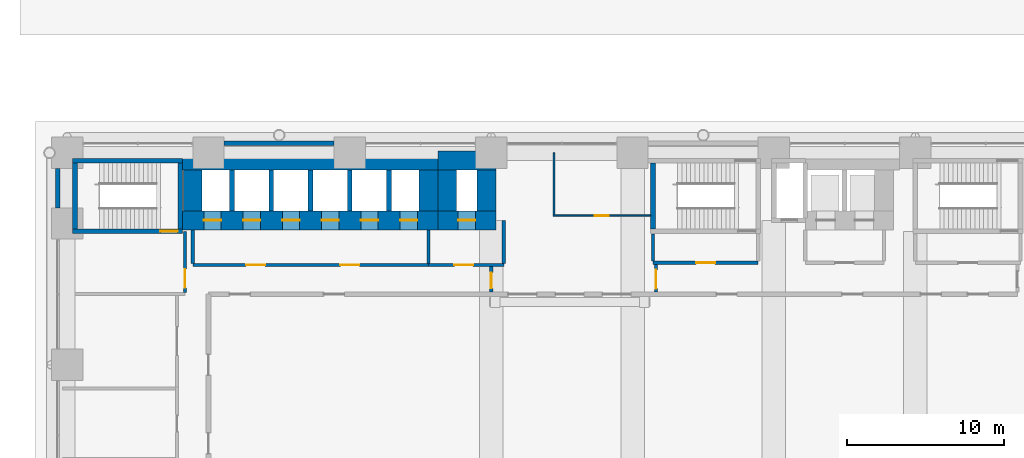
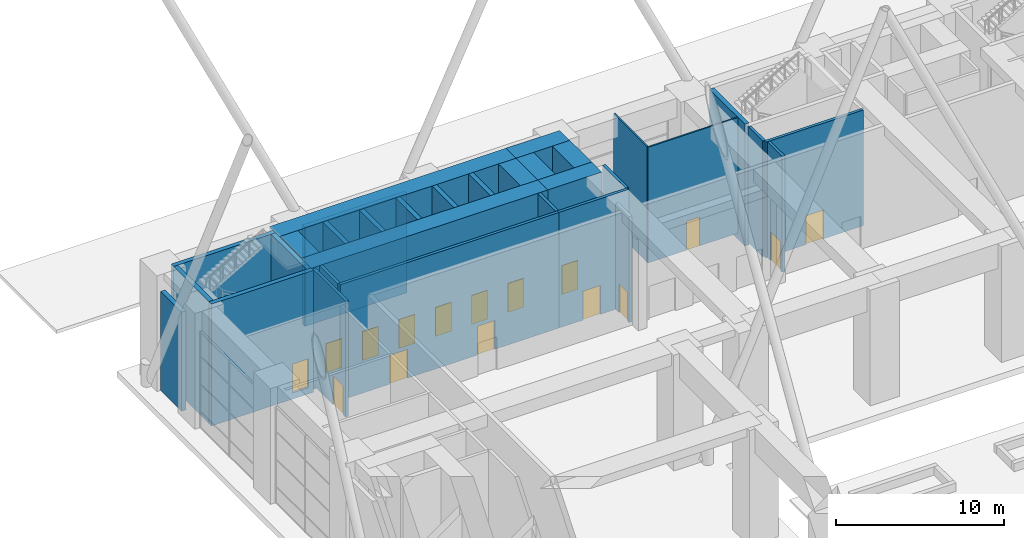
# One storey, part 31 of 44: 32 walls, 16 doors, 16 openings.
"""IFC4 building model written with IfcOpenShell, lengths in metres."""

from ifc_helpers import new_model, si_unit, direction, frame, frame_2d, origin, place, context, subcontext, project, spatial, rectangle, extrude, material, layer, layer_set, type_object, element, fill, save


model = new_model("IFC4")

# Units and contexts
model_context = context("Model", 3, precision=1e-05, world=origin(), true_north=direction((0.0, 1.0)))
body_context = subcontext(model_context, "Body", "Model", "MODEL_VIEW")
ifc_project = project(units=[si_unit("LENGTHUNIT", "METRE"), si_unit("AREAUNIT", "SQUARE_METRE"), si_unit("VOLUMEUNIT", "CUBIC_METRE"), si_unit("PLANEANGLEUNIT", "RADIAN"), si_unit("MASSUNIT", "GRAM", prefix="KILO")], contexts=[model_context])

# Site, building, storey
site_placement = place(None, origin())
site = spatial("IfcSite", under=ifc_project, at=site_placement, CompositionType="ELEMENT")
building_placement = place(site_placement, origin())
building = spatial("IfcBuilding", under=site, at=building_placement, Name="Firuza Court", CompositionType="ELEMENT")
storey_placement = place(building_placement, origin())
storey = spatial("IfcBuildingStorey", under=building, at=storey_placement, Name="L00", CompositionType="ELEMENT", Elevation=0.0)

# Wall, openings, doors
ifc_material_1 = material(Name="Concrete C60/75", Category="concrete")
ifc_layer_1 = layer(ifc_material_1, 1.199951171875)
ifc_layer_set_1 = layer_set([ifc_layer_1], Name="Concrete C60/75")
wall_type_1 = type_object("IfcWallType", Name="Core wall 1200 C60/75", PredefinedType="SHEAR", material=ifc_layer_set_1)
wall_1_placement = place(storey_placement, frame((7.35009765625, 54.199951171875, -0.449951171875), z_axis=(0.0, 0.0, 1.0), x_axis=(1.0, 0.0, 0.0)))
wall_1 = element("IfcWall", 1, at=wall_1_placement, inside=storey, type_object=wall_type_1, Name="Core wall lift shaft L00", PredefinedType="SHEAR", context=body_context, shape_type="SweptSolid", body=[
    extrude(rectangle(XDim=16.25, YDim=1.199951171875, at=frame_2d((8.125, 0.0))), origin(), (0.0, 0.0, 1.0), 8.849853515625),
])
opening_1_placement = place(wall_1_placement, frame((1.35009765625, 0.0, 0.449951171875)))
opening_1 = element("IfcOpeningElement", 2, at=opening_1_placement, cuts=wall_1, Name="Opening LD-LB1-00", PredefinedType="OPENING", context=body_context, shape_type="SweptSolid", body=[
    extrude(rectangle(XDim=1.10009765625, YDim=2.10009765625, at=frame_2d((0.550048828125, 1.050048828125))), frame((0.0, 0.61181640625, 0.0), z_axis=(0.0, -1.0, 0.0), x_axis=(1.0, 0.0, 0.0)), (0.0, 0.0, 1.0), 1.223876953125),
])
opening_2_placement = place(wall_1_placement, frame((3.85009765625, 0.0, 0.449951171875)))
opening_2 = element("IfcOpeningElement", 3, at=opening_2_placement, cuts=wall_1, Name="Opening LD-LB2-00", PredefinedType="OPENING", context=body_context, shape_type="SweptSolid", body=[
    extrude(rectangle(XDim=1.10009765625, YDim=2.10009765625, at=frame_2d((0.550048828125, 1.050048828125))), frame((0.0, 0.61181640625, 0.0), z_axis=(0.0, -1.0, 0.0), x_axis=(1.0, 0.0, 0.0)), (0.0, 0.0, 1.0), 1.223876953125),
])
opening_3_placement = place(wall_1_placement, frame((6.35009765625, 0.0, 0.449951171875)))
opening_3 = element("IfcOpeningElement", 4, at=opening_3_placement, cuts=wall_1, Name="Opening LD-LB3-00", PredefinedType="OPENING", context=body_context, shape_type="SweptSolid", body=[
    extrude(rectangle(XDim=1.10009765625, YDim=2.10009765625, at=frame_2d((0.550048828125, 1.050048828125))), frame((0.0, 0.61181640625, 0.0), z_axis=(0.0, -1.0, 0.0), x_axis=(1.0, 0.0, 0.0)), (0.0, 0.0, 1.0), 1.223876953125),
])
opening_4_placement = place(wall_1_placement, frame((8.85009765625, 0.0, 0.449951171875)))
opening_4 = element("IfcOpeningElement", 5, at=opening_4_placement, cuts=wall_1, Name="Opening LD-LB4-00", PredefinedType="OPENING", context=body_context, shape_type="SweptSolid", body=[
    extrude(rectangle(XDim=1.10009765625, YDim=2.10009765625, at=frame_2d((0.550048828125, 1.050048828125))), frame((0.0, 0.61181640625, 0.0), z_axis=(0.0, -1.0, 0.0), x_axis=(1.0, 0.0, 0.0)), (0.0, 0.0, 1.0), 1.223876953125),
])
opening_5_placement = place(wall_1_placement, frame((11.35009765625, 0.0, 0.449951171875)))
opening_5 = element("IfcOpeningElement", 6, at=opening_5_placement, cuts=wall_1, Name="Opening LD-LB5-00", PredefinedType="OPENING", context=body_context, shape_type="SweptSolid", body=[
    extrude(rectangle(XDim=1.10009765625, YDim=2.10009765625, at=frame_2d((0.550048828125, 1.050048828125))), frame((0.0, 0.61181640625, 0.0), z_axis=(0.0, -1.0, 0.0), x_axis=(1.0, 0.0, 0.0)), (0.0, 0.0, 1.0), 1.223876953125),
])
opening_6_placement = place(wall_1_placement, frame((13.85009765625, 0.0, 0.449951171875)))
opening_6 = element("IfcOpeningElement", 7, at=opening_6_placement, cuts=wall_1, Name="Opening LD-LB6-00", PredefinedType="OPENING", context=body_context, shape_type="SweptSolid", body=[
    extrude(rectangle(XDim=1.10009765625, YDim=2.10009765625, at=frame_2d((0.550048828125, 1.050048828125))), frame((0.0, 0.61181640625, 0.0), z_axis=(0.0, -1.0, 0.0), x_axis=(1.0, 0.0, 0.0)), (0.0, 0.0, 1.0), 1.223876953125),
])
ifc_material_2 = material(Name="Stainless steel 1.4301 door leaf", Category="steel")
door_type_1 = type_object("IfcDoorType", Name="Lift landing door 1100", OperationType="SLIDING_TO_LEFT", PredefinedType="DOOR", material=ifc_material_2)
door_1_placement = place(opening_1_placement, origin())
door_1 = element("IfcDoor", 8, at=door_1_placement, inside=storey, type_object=door_type_1, Name="Landing door LB1", OperationType="SLIDING_TO_LEFT", OverallHeight=2.10009765625, OverallWidth=1.10009765625, PredefinedType="DOOR", context=body_context, shape_type="SweptSolid", body=[
    extrude(rectangle(XDim=1.10009765625, YDim=2.10009765625, at=frame_2d((0.550048828125, 1.050048828125))), frame((0.0, 0.02490234375, 0.0), z_axis=(0.0, -1.0, 0.0), x_axis=(1.0, 0.0, 0.0)), (0.0, 0.0, 1.0), 0.050048828125),
])
fill(opening_1, door_1)
door_2_placement = place(opening_2_placement, origin())
door_2 = element("IfcDoor", 9, at=door_2_placement, inside=storey, type_object=door_type_1, Name="Landing door LB2", OperationType="SLIDING_TO_LEFT", OverallHeight=2.10009765625, OverallWidth=1.10009765625, PredefinedType="DOOR", context=body_context, shape_type="SweptSolid", body=[
    extrude(rectangle(XDim=1.10009765625, YDim=2.10009765625, at=frame_2d((0.550048828125, 1.050048828125))), frame((0.0, 0.02490234375, 0.0), z_axis=(0.0, -1.0, 0.0), x_axis=(1.0, 0.0, 0.0)), (0.0, 0.0, 1.0), 0.050048828125),
])
fill(opening_2, door_2)
door_3_placement = place(opening_3_placement, origin())
door_3 = element("IfcDoor", 10, at=door_3_placement, inside=storey, type_object=door_type_1, Name="Landing door LB3", OperationType="SLIDING_TO_LEFT", OverallHeight=2.10009765625, OverallWidth=1.10009765625, PredefinedType="DOOR", context=body_context, shape_type="SweptSolid", body=[
    extrude(rectangle(XDim=1.10009765625, YDim=2.10009765625, at=frame_2d((0.550048828125, 1.050048828125))), frame((0.0, 0.02490234375, 0.0), z_axis=(0.0, -1.0, 0.0), x_axis=(1.0, 0.0, 0.0)), (0.0, 0.0, 1.0), 0.050048828125),
])
fill(opening_3, door_3)
door_4_placement = place(opening_4_placement, origin())
door_4 = element("IfcDoor", 11, at=door_4_placement, inside=storey, type_object=door_type_1, Name="Landing door LB4", OperationType="SLIDING_TO_LEFT", OverallHeight=2.10009765625, OverallWidth=1.10009765625, PredefinedType="DOOR", context=body_context, shape_type="SweptSolid", body=[
    extrude(rectangle(XDim=1.10009765625, YDim=2.10009765625, at=frame_2d((0.550048828125, 1.050048828125))), frame((0.0, 0.02490234375, 0.0), z_axis=(0.0, -1.0, 0.0), x_axis=(1.0, 0.0, 0.0)), (0.0, 0.0, 1.0), 0.050048828125),
])
fill(opening_4, door_4)
door_5_placement = place(opening_5_placement, origin())
door_5 = element("IfcDoor", 12, at=door_5_placement, inside=storey, type_object=door_type_1, Name="Landing door LB5", OperationType="SLIDING_TO_LEFT", OverallHeight=2.10009765625, OverallWidth=1.10009765625, PredefinedType="DOOR", context=body_context, shape_type="SweptSolid", body=[
    extrude(rectangle(XDim=1.10009765625, YDim=2.10009765625, at=frame_2d((0.550048828125, 1.050048828125))), frame((0.0, 0.02490234375, 0.0), z_axis=(0.0, -1.0, 0.0), x_axis=(1.0, 0.0, 0.0)), (0.0, 0.0, 1.0), 0.050048828125),
])
fill(opening_5, door_5)
door_6_placement = place(opening_6_placement, origin())
door_6 = element("IfcDoor", 13, at=door_6_placement, inside=storey, type_object=door_type_1, Name="Landing door LB6", OperationType="SLIDING_TO_LEFT", OverallHeight=2.10009765625, OverallWidth=1.10009765625, PredefinedType="DOOR", context=body_context, shape_type="SweptSolid", body=[
    extrude(rectangle(XDim=1.10009765625, YDim=2.10009765625, at=frame_2d((0.550048828125, 1.050048828125))), frame((0.0, 0.02490234375, 0.0), z_axis=(0.0, -1.0, 0.0), x_axis=(1.0, 0.0, 0.0)), (0.0, 0.0, 1.0), 0.050048828125),
])
fill(opening_6, door_6)

# Walls
wall_2_placement = place(storey_placement, frame((7.35009765625, 58.0, -0.449951171875), z_axis=(0.0, 0.0, 1.0), x_axis=(1.0, 0.0, 0.0)))
element("IfcWall", 14, at=wall_2_placement, inside=storey, type_object=wall_type_1, Name="Core wall lift shaft L00", PredefinedType="SHEAR", context=body_context, shape_type="SweptSolid", body=[
    extrude(rectangle(XDim=16.25, YDim=1.199951171875, at=frame_2d((8.125, 0.0))), origin(), (0.0, 0.0, 1.0), 8.849853515625),
])
for number, where, z_axis, x_axis, name in (
    (15, (8.0, 54.800048828125, -0.449951171875), (0.0, 0.0, 1.0), (0.0, 1.0, 0.0), "Core wall lift shaft L00"),
    (16, (23.0, 54.800048828125, -0.449951171875), (0.0, 0.0, 1.0), (0.0, 1.0, 0.0), "Core wall lift shaft L00"),
):
    element("IfcWall", number, at=place(storey_placement, frame(where, z_axis=z_axis, x_axis=x_axis)), inside=storey, type_object=wall_type_1, Name=name, PredefinedType="SHEAR", context=body_context, shape_type="SweptSolid", body=[
        extrude(rectangle(XDim=2.599853515625, YDim=1.199951171875, at=frame_2d((1.2998046875, 0.0))), origin(), (0.0, 0.0, 1.0), 8.849853515625),
    ])

# Wall, opening, door
wall_3_placement = place(storey_placement, frame((23.60009765625, 54.199951171875, -0.449951171875), z_axis=(0.0, 0.0, 1.0), x_axis=(1.0, 0.0, 0.0)))
wall_3 = element("IfcWall", 17, at=wall_3_placement, inside=storey, type_object=wall_type_1, Name="Core wall lift shaft L00", PredefinedType="SHEAR", context=body_context, shape_type="SweptSolid", body=[
    extrude(rectangle(XDim=3.699951171875, YDim=1.199951171875, at=frame_2d((1.85009765625, 0.0))), origin(), (0.0, 0.0, 1.0), 8.849853515625),
])
opening_7_placement = place(wall_3_placement, frame((1.300048828125, 0.0, 0.449951171875)))
opening_7 = element("IfcOpeningElement", 18, at=opening_7_placement, cuts=wall_3, Name="Opening LD-FL3-00", PredefinedType="OPENING", context=body_context, shape_type="SweptSolid", body=[
    extrude(rectangle(XDim=1.10009765625, YDim=2.10009765625, at=frame_2d((0.550048828125, 1.050048828125))), frame((0.0, 0.61181640625, 0.0), z_axis=(0.0, -1.0, 0.0), x_axis=(1.0, 0.0, 0.0)), (0.0, 0.0, 1.0), 1.223876953125),
])
door_7_placement = place(opening_7_placement, origin())
door_7 = element("IfcDoor", 19, at=door_7_placement, inside=storey, type_object=door_type_1, Name="Landing door FL3", OperationType="SLIDING_TO_LEFT", OverallHeight=2.10009765625, OverallWidth=1.10009765625, PredefinedType="DOOR", context=body_context, shape_type="SweptSolid", body=[
    extrude(rectangle(XDim=1.10009765625, YDim=2.10009765625, at=frame_2d((0.550048828125, 1.050048828125))), frame((0.0, 0.02490234375, 0.0), z_axis=(0.0, -1.0, 0.0), x_axis=(1.0, 0.0, 0.0)), (0.0, 0.0, 1.0), 0.050048828125),
])
fill(opening_7, door_7)

# Walls
wall_4_placement = place(storey_placement, frame((23.60009765625, 58.0, -0.449951171875), z_axis=(0.0, 0.0, 1.0), x_axis=(1.0, 0.0, 0.0)))
element("IfcWall", 20, at=wall_4_placement, inside=storey, type_object=wall_type_1, Name="Core wall lift shaft L00", PredefinedType="SHEAR", context=body_context, shape_type="SweptSolid", body=[
    extrude(rectangle(XDim=3.699951171875, YDim=1.199951171875, at=frame_2d((1.85009765625, 0.0))), origin(), (0.0, 0.0, 1.0), 8.849853515625),
])
for number, where, z_axis, x_axis, name in (
    (21, (24.199951171875, 54.800048828125, -0.449951171875), (0.0, 0.0, 1.0), (0.0, 1.0, 0.0), "Core wall lift shaft L00"),
    (22, (26.699951171875, 54.800048828125, -0.449951171875), (0.0, 0.0, 1.0), (0.0, 1.0, 0.0), "Core wall lift shaft L00"),
):
    element("IfcWall", number, at=place(storey_placement, frame(where, z_axis=z_axis, x_axis=x_axis)), inside=storey, type_object=wall_type_1, Name=name, PredefinedType="SHEAR", context=body_context, shape_type="SweptSolid", body=[
        extrude(rectangle(XDim=2.599853515625, YDim=1.199951171875, at=frame_2d((1.2998046875, 0.0))), origin(), (0.0, 0.0, 1.0), 8.849853515625),
    ])

# Wall, opening, door
ifc_layer_2 = layer(ifc_material_1, 0.300048828125)
ifc_layer_set_2 = layer_set([ifc_layer_2], Name="Concrete C60/75")
wall_type_2 = type_object("IfcWallType", Name="Core wall 300 C60/75", PredefinedType="SHEAR", material=ifc_layer_set_2)
wall_5_placement = place(storey_placement, frame((0.35009765625, 53.5, -0.449951171875), z_axis=(0.0, 0.0, 1.0), x_axis=(1.0, 0.0, 0.0)))
wall_5 = element("IfcWall", 23, at=wall_5_placement, inside=storey, type_object=wall_type_2, Name="Core wall stair L00", PredefinedType="SHEAR", context=body_context, shape_type="SweptSolid", body=[
    extrude(rectangle(XDim=7.0, YDim=0.300048828125, at=frame_2d((3.5, 0.0))), origin(), (0.0, 0.0, 1.0), 8.849853515625),
])
opening_8_placement = place(wall_5_placement, frame((5.580078125, 0.0, 0.449951171875)))
opening_8 = element("IfcOpeningElement", 24, at=opening_8_placement, cuts=wall_5, Name="Opening D00016", PredefinedType="OPENING", context=body_context, shape_type="SweptSolid", body=[
    extrude(rectangle(XDim=1.10009765625, YDim=2.10009765625, at=frame_2d((0.550048828125, 1.050048828125))), frame((0.0, 0.162109375, 0.0), z_axis=(0.0, -1.0, 0.0), x_axis=(1.0, 0.0, 0.0)), (0.0, 0.0, 1.0), 0.323974609375),
])
ifc_material_3 = material(Name="Timber door leaf in hardwood frame", Category="wood")
door_type_2 = type_object("IfcDoorType", Name="Stair door 1100", OperationType="SINGLE_SWING_LEFT", PredefinedType="DOOR", material=ifc_material_3)
door_8_placement = place(opening_8_placement, frame((1.10009765625, 0.0, 0.0), z_axis=(0.0, 0.0, 1.0), x_axis=(-1.0, 0.0, 0.0)))
door_8 = element("IfcDoor", 25, at=door_8_placement, inside=storey, type_object=door_type_2, Name="Stair door S3", OperationType="SINGLE_SWING_LEFT", OverallHeight=2.10009765625, OverallWidth=1.10009765625, PredefinedType="DOOR", context=body_context, shape_type="SweptSolid", body=[
    extrude(rectangle(XDim=1.10009765625, YDim=2.10009765625, at=frame_2d((0.550048828125, 1.050048828125))), frame((0.0, 0.02490234375, 0.0), z_axis=(0.0, -1.0, 0.0), x_axis=(1.0, 0.0, 0.0)), (0.0, 0.0, 1.0), 0.050048828125),
])
fill(opening_8, door_8)

# Walls
wall_6_placement = place(storey_placement, frame((0.35009765625, 58.0, -0.449951171875), z_axis=(0.0, 0.0, 1.0), x_axis=(1.0, 0.0, 0.0)))
element("IfcWall", 26, at=wall_6_placement, inside=storey, type_object=wall_type_2, Name="Core wall stair L00", PredefinedType="SHEAR", context=body_context, shape_type="SweptSolid", body=[
    extrude(rectangle(XDim=7.0, YDim=0.300048828125, at=frame_2d((3.5, 0.0))), origin(), (0.0, 0.0, 1.0), 8.849853515625),
])
for number, where, z_axis, x_axis, name in (
    (27, (0.5, 53.64990234375, -0.449951171875), (0.0, 0.0, 1.0), (0.0, 1.0, 0.0), "Core wall stair L00"),
    (28, (7.199951171875, 53.64990234375, -0.449951171875), (0.0, 0.0, 1.0), (0.0, 1.0, 0.0), "Core wall stair L00"),
):
    element("IfcWall", number, at=place(storey_placement, frame(where, z_axis=z_axis, x_axis=x_axis)), inside=storey, type_object=wall_type_2, Name=name, PredefinedType="SHEAR", context=body_context, shape_type="SweptSolid", body=[
        extrude(rectangle(XDim=4.2001953125, YDim=0.300048828125, at=frame_2d((2.10009765625, 0.0))), origin(), (0.0, 0.0, 1.0), 8.849853515625),
    ])
for number, where, z_axis, x_axis, name in (
    (29, (10.5, 54.800048828125, -0.449951171875), (0.0, 0.0, 1.0), (0.0, 1.0, 0.0), "Core wall lift shaft L00"),
    (30, (13.0, 54.800048828125, -0.449951171875), (0.0, 0.0, 1.0), (0.0, 1.0, 0.0), "Core wall lift shaft L00"),
    (31, (15.5, 54.800048828125, -0.449951171875), (0.0, 0.0, 1.0), (0.0, 1.0, 0.0), "Core wall lift shaft L00"),
    (32, (18.0, 54.800048828125, -0.449951171875), (0.0, 0.0, 1.0), (0.0, 1.0, 0.0), "Core wall lift shaft L00"),
    (33, (20.5, 54.800048828125, -0.449951171875), (0.0, 0.0, 1.0), (0.0, 1.0, 0.0), "Core wall lift shaft L00"),
):
    element("IfcWall", number, at=place(storey_placement, frame(where, z_axis=z_axis, x_axis=x_axis)), inside=storey, type_object=wall_type_2, Name=name, PredefinedType="SHEAR", context=body_context, shape_type="SweptSolid", body=[
        extrude(rectangle(XDim=2.599853515625, YDim=0.300048828125, at=frame_2d((1.2998046875, 0.0))), origin(), (0.0, 0.0, 1.0), 8.849853515625),
    ])
wall_7_placement = place(storey_placement, frame((37.300048828125, 53.64990234375, -0.449951171875), z_axis=(0.0, 0.0, 1.0), x_axis=(0.0, 1.0, 0.0)))
element("IfcWall", 34, at=wall_7_placement, inside=storey, type_object=wall_type_2, Name="Core wall stair L00", PredefinedType="SHEAR", context=body_context, shape_type="SweptSolid", body=[
    extrude(rectangle(XDim=4.2001953125, YDim=0.300048828125, at=frame_2d((2.10009765625, 0.0))), origin(), (0.0, 0.0, 1.0), 8.849853515625),
])

# Wall, opening, door
ifc_material_4 = material(Name="Blockwork, plastered both sides", Category="masonry")
ifc_layer_3 = layer(ifc_material_4, 0.199951171875)
ifc_layer_set_3 = layer_set([ifc_layer_3], Name="Blockwork, plastered both sides")
wall_type_3 = type_object("IfcWallType", Name="Corridor wall 200", PredefinedType="PARTITIONING", material=ifc_layer_set_3)
wall_8_placement = place(storey_placement, frame((27.0, 49.64990234375, 0.0), z_axis=(0.0, 0.0, 1.0), x_axis=(0.0, 1.0, 0.0)))
wall_8 = element("IfcWall", 35, at=wall_8_placement, inside=storey, type_object=wall_type_3, Name="Corridor wall 200 L00", PredefinedType="PARTITIONING", context=body_context, shape_type="SweptSolid", body=[
    extrude(rectangle(XDim=1.60009765625, YDim=0.199951171875, at=frame_2d((0.800048828125, 0.0))), origin(), (0.0, 0.0, 1.0), 7.699951171875),
])
opening_9_placement = place(wall_8_placement, frame((0.22509765625, 0.0, 0.0)))
opening_9 = element("IfcOpeningElement", 36, at=opening_9_placement, cuts=wall_8, Name="Opening D00026", PredefinedType="OPENING", context=body_context, shape_type="SweptSolid", body=[
    extrude(rectangle(XDim=1.0, YDim=2.10009765625, at=frame_2d((0.5, 1.050048828125))), frame((0.0, 0.11181640625, 0.0), z_axis=(0.0, -1.0, 0.0), x_axis=(1.0, 0.0, 0.0)), (0.0, 0.0, 1.0), 0.223876953125),
])
ifc_material_5 = material(Name="Timber door leaf in hardwood frame", Category="wood")
door_type_3 = type_object("IfcDoorType", Name="Lobby door 1000", OperationType="SINGLE_SWING_LEFT", PredefinedType="DOOR", material=ifc_material_5)
door_9_placement = place(opening_9_placement, frame((1.0, 0.0, 0.0), z_axis=(0.0, 0.0, 1.0), x_axis=(-1.0, 0.0, 0.0)))
door_9 = element("IfcDoor", 37, at=door_9_placement, inside=storey, type_object=door_type_3, Name="Lobby door west", OperationType="SINGLE_SWING_LEFT", OverallHeight=2.10009765625, OverallWidth=1.0, PredefinedType="DOOR", context=body_context, shape_type="SweptSolid", body=[
    extrude(rectangle(XDim=1.0, YDim=2.10009765625, at=frame_2d((0.5, 1.050048828125))), frame((0.0, 0.02490234375, 0.0), z_axis=(0.0, -1.0, 0.0), x_axis=(1.0, 0.0, 0.0)), (0.0, 0.0, 1.0), 0.050048828125),
])
fill(opening_9, door_9)

wall_9_placement = place(storey_placement, frame((37.5, 51.39990234375, 0.0), z_axis=(0.0, 0.0, 1.0), x_axis=(0.0, -1.0, 0.0)))
wall_9 = element("IfcWall", 38, at=wall_9_placement, inside=storey, type_object=wall_type_3, Name="Corridor wall 200 L00", PredefinedType="PARTITIONING", context=body_context, shape_type="SweptSolid", body=[
    extrude(rectangle(XDim=1.75, YDim=0.199951171875, at=frame_2d((0.875, 0.0))), origin(), (0.0, 0.0, 1.0), 8.39990234375),
])
opening_10_placement = place(wall_9_placement, frame((0.35009765625, 0.0, 0.0)))
opening_10 = element("IfcOpeningElement", 39, at=opening_10_placement, cuts=wall_9, Name="Opening D00029", PredefinedType="OPENING", context=body_context, shape_type="SweptSolid", body=[
    extrude(rectangle(XDim=1.199951171875, YDim=2.10009765625, at=frame_2d((0.60009765625, 1.050048828125))), frame((0.0, 0.11181640625, 0.0), z_axis=(0.0, -1.0, 0.0), x_axis=(1.0, 0.0, 0.0)), (0.0, 0.0, 1.0), 0.223876953125),
])
ifc_material_6 = material(Name="Timber door leaf in hardwood frame", Category="wood")
door_type_4 = type_object("IfcDoorType", Name="Lobby door 1200", OperationType="SINGLE_SWING_LEFT", PredefinedType="DOOR", material=ifc_material_6)
door_10_placement = place(opening_10_placement, origin())
door_10 = element("IfcDoor", 40, at=door_10_placement, inside=storey, type_object=door_type_4, Name="Lobby door east", OperationType="SINGLE_SWING_LEFT", OverallHeight=2.10009765625, OverallWidth=1.199951171875, PredefinedType="DOOR", context=body_context, shape_type="SweptSolid", body=[
    extrude(rectangle(XDim=1.199951171875, YDim=2.10009765625, at=frame_2d((0.60009765625, 1.050048828125))), frame((0.0, 0.02490234375, 0.0), z_axis=(0.0, -1.0, 0.0), x_axis=(1.0, 0.0, 0.0)), (0.0, 0.0, 1.0), 0.050048828125),
])
fill(opening_10, door_10)

# Wall
ifc_material_7 = material(Name="Timber stud partition, plasterboard both sides", Category="wood")
ifc_layer_4 = layer(ifc_material_7, 0.10009765625)
ifc_layer_set_4 = layer_set([ifc_layer_4], Name="Timber stud partition, plasterboard both sides")
wall_type_4 = type_object("IfcWallType", Name="Partition wall 100", PredefinedType="PARTITIONING", material=ifc_layer_set_4)
wall_10_placement = place(storey_placement, frame((31.0, 54.550048828125, 0.0), z_axis=(0.0, 0.0, 1.0), x_axis=(0.0, 1.0, 0.0)))
element("IfcWall", 41, at=wall_10_placement, inside=storey, type_object=wall_type_4, Name="Partition wall 100 L00", PredefinedType="PARTITIONING", context=body_context, shape_type="SweptSolid", body=[
    extrude(rectangle(XDim=3.949951171875, YDim=0.10009765625, at=frame_2d((1.97509765625, 0.0))), origin(), (0.0, 0.0, 1.0), 8.39990234375),
])

# Wall, opening, door
wall_11_placement = place(storey_placement, frame((37.14990234375, 54.5, 0.0), z_axis=(0.0, 0.0, 1.0), x_axis=(-1.0, 0.0, 0.0)))
wall_11 = element("IfcWall", 42, at=wall_11_placement, inside=storey, type_object=wall_type_4, Name="Partition wall 100 L00", PredefinedType="PARTITIONING", context=body_context, shape_type="SweptSolid", body=[
    extrude(rectangle(XDim=6.199951171875, YDim=0.10009765625, at=frame_2d((3.10009765625, 0.0))), origin(), (0.0, 0.0, 1.0), 8.39990234375),
])
opening_11_placement = place(wall_11_placement, frame((2.64990234375, 0.0, 0.0)))
opening_11 = element("IfcOpeningElement", 43, at=opening_11_placement, cuts=wall_11, Name="Opening D00030", PredefinedType="OPENING", context=body_context, shape_type="SweptSolid", body=[
    extrude(rectangle(XDim=0.89990234375, YDim=2.10009765625, at=frame_2d((0.449951171875, 1.050048828125))), frame((0.0, 0.06201171875, 0.0), z_axis=(0.0, -1.0, 0.0), x_axis=(1.0, 0.0, 0.0)), (0.0, 0.0, 1.0), 0.1240234375),
])
ifc_material_8 = material(Name="Timber door leaf in hardwood frame", Category="wood")
door_type_5 = type_object("IfcDoorType", Name="Room door 900", OperationType="SINGLE_SWING_LEFT", PredefinedType="DOOR", material=ifc_material_8)
door_11_placement = place(opening_11_placement, frame((0.89990234375, 0.0, 0.0), z_axis=(0.0, 0.0, 1.0), x_axis=(-1.0, 0.0, 0.0)))
door_11 = element("IfcDoor", 44, at=door_11_placement, inside=storey, type_object=door_type_5, Name="Concierge office door", OperationType="SINGLE_SWING_LEFT", OverallHeight=2.10009765625, OverallWidth=0.89990234375, PredefinedType="DOOR", context=body_context, shape_type="SweptSolid", body=[
    extrude(rectangle(XDim=0.89990234375, YDim=2.10009765625, at=frame_2d((0.449951171875, 1.050048828125))), frame((0.0, 0.02490234375, 0.0), z_axis=(0.0, -1.0, 0.0), x_axis=(1.0, 0.0, 0.0)), (0.0, 0.0, 1.0), 0.050048828125),
])
fill(opening_11, door_11)

# Walls
ifc_material_9 = material(Name="Ceramic tile", Category="ceramic")
ifc_layer_5 = layer(ifc_material_9, 0.02001953125)
ifc_material_10 = material(Name="Mineral wool insulation", Category="insulation")
ifc_layer_6 = layer(ifc_material_10, 0.1298828125)
ifc_material_11 = material(Name="Concrete C40/50 precast", Category="concrete")
ifc_layer_7 = layer(ifc_material_11, 0.14990234375)
ifc_layer_set_5 = layer_set([ifc_layer_5, ifc_layer_6, ifc_layer_7], Name="Concrete C40/50 precast")
wall_type_5 = type_object("IfcWallType", Name="Precast spandrel wall with turquoise TILE PANEL face 300", PredefinedType="STANDARD", material=ifc_layer_set_5)
wall_12_placement = place(storey_placement, frame((17.0, 59.10009765625, 0.0), z_axis=(0.0, 0.0, 1.0), x_axis=(-1.0, 0.0, 0.0)))
element("IfcWall", 45, at=wall_12_placement, inside=storey, type_object=wall_type_5, Name="Facade wall L00 N", PredefinedType="STANDARD", context=body_context, shape_type="SweptSolid", body=[
    extrude(rectangle(XDim=7.0, YDim=0.300048828125, at=frame_2d((3.5, 0.0))), origin(), (0.0, 0.0, 1.0), 7.199951171875),
])
wall_13_placement = place(storey_placement, frame((-0.60009765625, 57.5, 0.0), z_axis=(0.0, 0.0, 1.0), x_axis=(0.0, -1.0, 0.0)))
element("IfcWall", 46, at=wall_13_placement, inside=storey, type_object=wall_type_5, Name="Facade wall L00 W", PredefinedType="STANDARD", context=body_context, shape_type="SweptSolid", body=[
    extrude(rectangle(XDim=2.5, YDim=0.300048828125, at=frame_2d((1.25, 0.0))), origin(), (0.0, 0.0, 1.0), 7.199951171875),
])

# Wall, openings, doors
ifc_material_12 = material(Name="Blockwork, fire-rated", Category="masonry")
ifc_layer_8 = layer(ifc_material_12, 0.199951171875)
ifc_layer_set_6 = layer_set([ifc_layer_8], Name="Blockwork, fire-rated")
wall_type_6 = type_object("IfcWallType", Name="Shaft wall 200", PredefinedType="PARTITIONING", material=ifc_layer_set_6)
wall_14_placement = place(storey_placement, frame((8.0, 51.35009765625, 0.0), z_axis=(0.0, 0.0, 1.0), x_axis=(1.0, 0.0, 0.0)))
wall_14 = element("IfcWall", 47, at=wall_14_placement, inside=storey, type_object=wall_type_6, Name="Shaft wall 200 L00", PredefinedType="PARTITIONING", context=body_context, shape_type="SweptSolid", body=[
    extrude(rectangle(XDim=15.0, YDim=0.199951171875, at=frame_2d((7.5, 0.0))), origin(), (0.0, 0.0, 1.0), 8.39990234375),
])
opening_12_placement = place(wall_14_placement, frame((3.39990234375, 0.0, 0.0)))
opening_12 = element("IfcOpeningElement", 48, at=opening_12_placement, cuts=wall_14, Name="Opening D00004", PredefinedType="OPENING", context=body_context, shape_type="SweptSolid", body=[
    extrude(rectangle(XDim=1.199951171875, YDim=2.10009765625, at=frame_2d((0.60009765625, 1.050048828125))), frame((0.0, 0.11181640625, 0.0), z_axis=(0.0, -1.0, 0.0), x_axis=(1.0, 0.0, 0.0)), (0.0, 0.0, 1.0), 0.223876953125),
])
opening_13_placement = place(wall_14_placement, frame((9.39990234375, 0.0, 0.0)))
opening_13 = element("IfcOpeningElement", 49, at=opening_13_placement, cuts=wall_14, Name="Opening D00005", PredefinedType="OPENING", context=body_context, shape_type="SweptSolid", body=[
    extrude(rectangle(XDim=1.199951171875, YDim=2.10009765625, at=frame_2d((0.60009765625, 1.050048828125))), frame((0.0, 0.11181640625, 0.0), z_axis=(0.0, -1.0, 0.0), x_axis=(1.0, 0.0, 0.0)), (0.0, 0.0, 1.0), 0.223876953125),
])
door_12_placement = place(opening_12_placement, origin())
door_12 = element("IfcDoor", 50, at=door_12_placement, inside=storey, type_object=door_type_4, Name="Lobby door", OperationType="SINGLE_SWING_LEFT", OverallHeight=2.10009765625, OverallWidth=1.199951171875, PredefinedType="DOOR", context=body_context, shape_type="SweptSolid", body=[
    extrude(rectangle(XDim=1.199951171875, YDim=2.10009765625, at=frame_2d((0.60009765625, 1.050048828125))), frame((0.0, 0.02490234375, 0.0), z_axis=(0.0, -1.0, 0.0), x_axis=(1.0, 0.0, 0.0)), (0.0, 0.0, 1.0), 0.050048828125),
])
fill(opening_12, door_12)
door_13_placement = place(opening_13_placement, origin())
door_13 = element("IfcDoor", 51, at=door_13_placement, inside=storey, type_object=door_type_4, Name="Lobby door", OperationType="SINGLE_SWING_RIGHT", OverallHeight=2.10009765625, OverallWidth=1.199951171875, PredefinedType="DOOR", context=body_context, shape_type="SweptSolid", body=[
    extrude(rectangle(XDim=1.199951171875, YDim=2.10009765625, at=frame_2d((0.60009765625, 1.050048828125))), frame((0.0, 0.02490234375, 0.0), z_axis=(0.0, -1.0, 0.0), x_axis=(1.0, 0.0, 0.0)), (0.0, 0.0, 1.0), 0.050048828125),
])
fill(opening_13, door_13)

# Walls
for number, where, z_axis, x_axis, name in (
    (52, (23.0, 51.449951171875, 0.0), (0.0, 0.0, 1.0), (0.0, 1.0, 0.0), "Shaft wall 200 L00"),
    (53, (8.0, 51.449951171875, 0.0), (0.0, 0.0, 1.0), (0.0, 1.0, 0.0), "Shaft wall 200 L00"),
):
    element("IfcWall", number, at=place(storey_placement, frame(where, z_axis=z_axis, x_axis=x_axis)), inside=storey, type_object=wall_type_6, Name=name, PredefinedType="PARTITIONING", context=body_context, shape_type="SweptSolid", body=[
        extrude(rectangle(XDim=2.130126953125, YDim=0.199951171875, at=frame_2d((1.06494140625, 0.0))), origin(), (0.0, 0.0, 1.0), 8.39990234375),
    ])

# Wall, opening, door
wall_15_placement = place(storey_placement, frame((23.0, 51.35009765625, 0.0), z_axis=(0.0, 0.0, 1.0), x_axis=(1.0, 0.0, 0.0)))
wall_15 = element("IfcWall", 54, at=wall_15_placement, inside=storey, type_object=wall_type_6, Name="Shaft wall 200 L00", PredefinedType="PARTITIONING", context=body_context, shape_type="SweptSolid", body=[
    extrude(rectangle(XDim=4.800048828125, YDim=0.199951171875, at=frame_2d((2.39990234375, 0.0))), origin(), (0.0, 0.0, 1.0), 8.39990234375),
])
opening_14_placement = place(wall_15_placement, frame((1.64990234375, 0.0, 0.0)))
opening_14 = element("IfcOpeningElement", 55, at=opening_14_placement, cuts=wall_15, Name="Opening D00003", PredefinedType="OPENING", context=body_context, shape_type="SweptSolid", body=[
    extrude(rectangle(XDim=1.199951171875, YDim=2.10009765625, at=frame_2d((0.60009765625, 1.050048828125))), frame((0.0, 0.11181640625, 0.0), z_axis=(0.0, -1.0, 0.0), x_axis=(1.0, 0.0, 0.0)), (0.0, 0.0, 1.0), 0.223876953125),
])
door_14_placement = place(opening_14_placement, origin())
door_14 = element("IfcDoor", 56, at=door_14_placement, inside=storey, type_object=door_type_4, Name="Fire-fighting lobby door", OperationType="SINGLE_SWING_LEFT", OverallHeight=2.10009765625, OverallWidth=1.199951171875, PredefinedType="DOOR", context=body_context, shape_type="SweptSolid", body=[
    extrude(rectangle(XDim=1.199951171875, YDim=2.10009765625, at=frame_2d((0.60009765625, 1.050048828125))), frame((0.0, 0.02490234375, 0.0), z_axis=(0.0, -1.0, 0.0), x_axis=(1.0, 0.0, 0.0)), (0.0, 0.0, 1.0), 0.050048828125),
])
fill(opening_14, door_14)

# Wall
wall_16_placement = place(storey_placement, frame((27.800048828125, 51.449951171875, 0.0), z_axis=(0.0, 0.0, 1.0), x_axis=(0.0, 1.0, 0.0)))
element("IfcWall", 57, at=wall_16_placement, inside=storey, type_object=wall_type_6, Name="Shaft wall 200 L00", PredefinedType="PARTITIONING", context=body_context, shape_type="SweptSolid", body=[
    extrude(rectangle(XDim=2.75, YDim=0.199951171875, at=frame_2d((1.375, 0.0))), origin(), (0.0, 0.0, 1.0), 8.39990234375),
])

# Wall, opening, door
wall_17_placement = place(storey_placement, frame((7.5, 49.60009765625, 0.0), z_axis=(0.0, 0.0, 1.0), x_axis=(0.0, 1.0, 0.0)))
wall_17 = element("IfcWall", 58, at=wall_17_placement, inside=storey, type_object=wall_type_6, Name="Shaft wall 200 L00", PredefinedType="PARTITIONING", context=body_context, shape_type="SweptSolid", body=[
    extrude(rectangle(XDim=3.89990234375, YDim=0.199951171875, at=frame_2d((1.949951171875, 0.0))), origin(), (0.0, 0.0, 1.0), 8.39990234375),
])
opening_15_placement = place(wall_17_placement, frame((0.300048828125, 0.0, 0.0)))
opening_15 = element("IfcOpeningElement", 59, at=opening_15_placement, cuts=wall_17, Name="Opening D00001", PredefinedType="OPENING", context=body_context, shape_type="SweptSolid", body=[
    extrude(rectangle(XDim=1.199951171875, YDim=2.10009765625, at=frame_2d((0.60009765625, 1.050048828125))), frame((0.0, 0.11181640625, 0.0), z_axis=(0.0, -1.0, 0.0), x_axis=(1.0, 0.0, 0.0)), (0.0, 0.0, 1.0), 0.223876953125),
])
door_15_placement = place(opening_15_placement, origin())
door_15 = element("IfcDoor", 60, at=door_15_placement, inside=storey, type_object=door_type_4, Name="Lobby door", OperationType="SINGLE_SWING_LEFT", OverallHeight=2.10009765625, OverallWidth=1.199951171875, PredefinedType="DOOR", context=body_context, shape_type="SweptSolid", body=[
    extrude(rectangle(XDim=1.199951171875, YDim=2.10009765625, at=frame_2d((0.60009765625, 1.050048828125))), frame((0.0, 0.02490234375, 0.0), z_axis=(0.0, -1.0, 0.0), x_axis=(1.0, 0.0, 0.0)), (0.0, 0.0, 1.0), 0.050048828125),
])
fill(opening_15, door_15)

wall_18_placement = place(storey_placement, frame((37.300048828125, 51.5, 0.0), z_axis=(0.0, 0.0, 1.0), x_axis=(1.0, 0.0, 0.0)))
wall_18 = element("IfcWall", 61, at=wall_18_placement, inside=storey, type_object=wall_type_6, Name="Shaft wall 200 L00", PredefinedType="PARTITIONING", context=body_context, shape_type="SweptSolid", body=[
    extrude(rectangle(XDim=6.699951171875, YDim=0.199951171875, at=frame_2d((3.35009765625, 0.0))), origin(), (0.0, 0.0, 1.0), 8.39990234375),
])
opening_16_placement = place(wall_18_placement, frame((2.75, 0.0, 0.0)))
opening_16 = element("IfcOpeningElement", 62, at=opening_16_placement, cuts=wall_18, Name="Opening D00006", PredefinedType="OPENING", context=body_context, shape_type="SweptSolid", body=[
    extrude(rectangle(XDim=1.199951171875, YDim=2.10009765625, at=frame_2d((0.60009765625, 1.050048828125))), frame((0.0, 0.11181640625, 0.0), z_axis=(0.0, -1.0, 0.0), x_axis=(1.0, 0.0, 0.0)), (0.0, 0.0, 1.0), 0.223876953125),
])
door_16_placement = place(opening_16_placement, origin())
door_16 = element("IfcDoor", 63, at=door_16_placement, inside=storey, type_object=door_type_4, Name="Lobby door", OperationType="SINGLE_SWING_LEFT", OverallHeight=2.10009765625, OverallWidth=1.199951171875, PredefinedType="DOOR", context=body_context, shape_type="SweptSolid", body=[
    extrude(rectangle(XDim=1.199951171875, YDim=2.10009765625, at=frame_2d((0.60009765625, 1.050048828125))), frame((0.0, 0.02490234375, 0.0), z_axis=(0.0, -1.0, 0.0), x_axis=(1.0, 0.0, 0.0)), (0.0, 0.0, 1.0), 0.050048828125),
])
fill(opening_16, door_16)

# Wall
wall_19_placement = place(storey_placement, frame((37.300048828125, 51.60009765625, 0.0), z_axis=(0.0, 0.0, 1.0), x_axis=(0.0, 1.0, 0.0)))
element("IfcWall", 64, at=wall_19_placement, inside=storey, type_object=wall_type_6, Name="Shaft wall 200 L00", PredefinedType="PARTITIONING", context=body_context, shape_type="SweptSolid", body=[
    extrude(rectangle(XDim=1.72998046875, YDim=0.199951171875, at=frame_2d((0.864990234375, 0.0))), origin(), (0.0, 0.0, 1.0), 8.39990234375),
])

save(model, "model.ifc")
